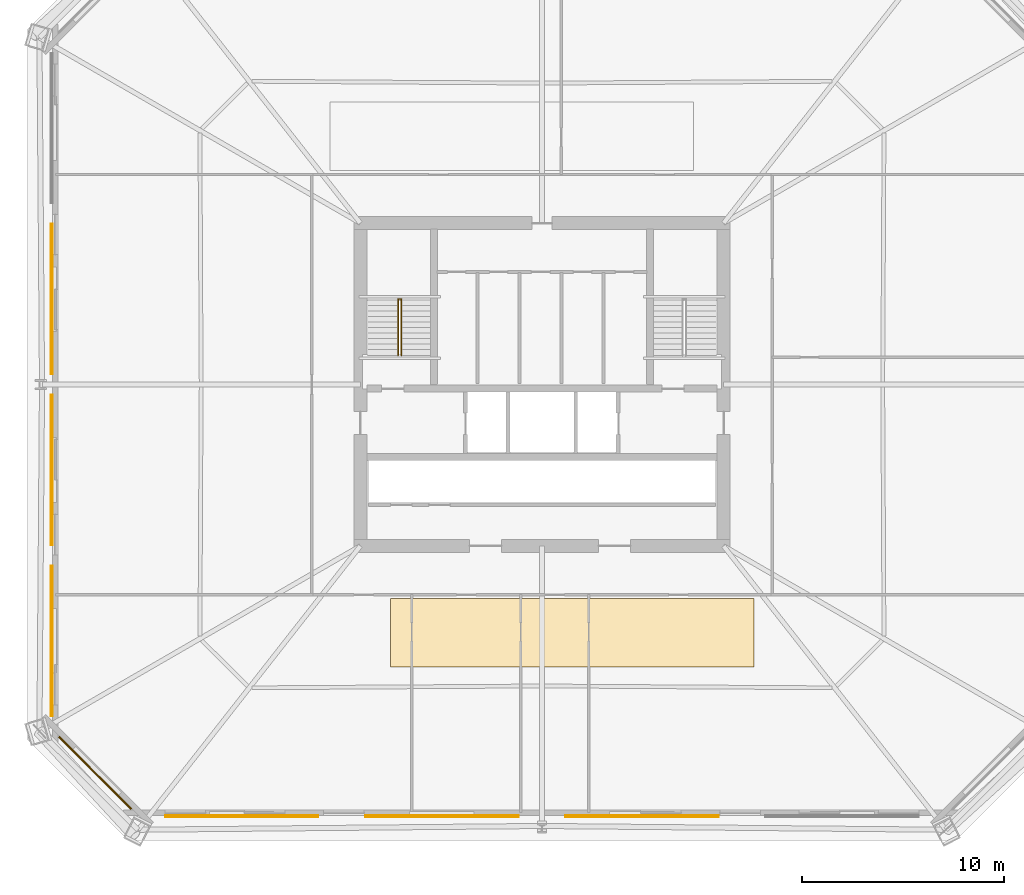
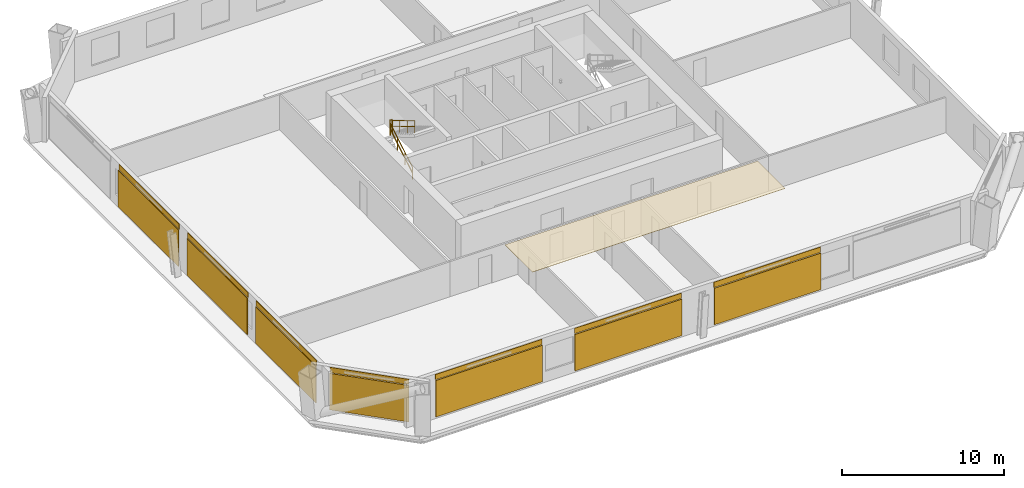
# One storey, part 8 of 10: 8 coverings, 7 shading devices, 3 railings.
"""IFC4 building model written with IfcOpenShell, lengths in metres."""

import ifcopenshell
import ifcopenshell.guid

model = None  # the IFC model being written
_history = None  # IfcOwnerHistory: only IFC2X3 demands one
_inside = {}  # id of a spatial element -> (the spatial element, [elements in it])
_under = {}  # id of a project, library or spatial element -> (it, [spatial elements below it])
_declared = {}  # id of a project -> (the project, [libraries it declares])
_typed = {}  # id of a type object -> (the type object, [elements of that type])
_made_of = {}  # id of a material, layer set ... -> (it, [elements and type objects made of it])


def new_model(schema):
    """Start an empty IFC model of exactly this schema.

    Asked for "IFC4X3", IfcOpenShell would pick the latest addendum, in which some entities
    have other attributes; the version numbers below select the first issue.
    IFC2X3 requires an IfcOwnerHistory on every rooted entity: one is made here for all.
    """
    global model, _history
    if schema == "IFC4X3":
        model = ifcopenshell.file(schema_version=(4, 3, 0, 0))
    else:
        model = ifcopenshell.file(schema=schema)
    _inside.clear()
    _under.clear()
    _declared.clear()
    _typed.clear()
    _made_of.clear()
    _history = None
    if model.schema == "IFC2X3":
        org = make("IfcOrganization", Name="unknown")
        user = make(
            "IfcPersonAndOrganization",
            ThePerson=make("IfcPerson", FamilyName="unknown"),
            TheOrganization=org,
        )
        app = make(
            "IfcApplication",
            ApplicationDeveloper=org,
            Version="unknown",
            ApplicationFullName="unknown",
            ApplicationIdentifier="unknown",
        )
        _history = make(
            "IfcOwnerHistory",
            OwningUser=user,
            OwningApplication=app,
            ChangeAction="ADDED",
            CreationDate=0,
        )
    return model


def make(cls, **values):
    """One entity of the class cls with the attributes given. An attribute that is None is left unset."""
    return model.create_entity(
        cls, **{name: value for name, value in values.items() if value is not None}
    )


def rooted(cls, **values):
    """An entity with a GlobalId (a new one), such as an element, a storey or a relation."""
    return make(cls, GlobalId=ifcopenshell.guid.new(), OwnerHistory=_history, **values)


def si_unit(unit_type, name, prefix=None):
    """IfcSIUnit, for example si_unit("LENGTHUNIT", "METRE", prefix="MILLI")."""
    return make("IfcSIUnit", UnitType=unit_type, Prefix=prefix, Name=name)


def assignment(units):
    """IfcUnitAssignment: the units of a project."""
    return None if units is None else make("IfcUnitAssignment", Units=units)


def point(xyz):
    """IfcCartesianPoint."""
    return None if xyz is None else make("IfcCartesianPoint", Coordinates=xyz)


def direction(xyz):
    """IfcDirection."""
    return None if xyz is None else make("IfcDirection", DirectionRatios=xyz)


def frame(location, z_axis=None, x_axis=None):
    """IfcAxis2Placement3D, a coordinate frame: its origin and axes. An axis left out is left unset."""
    return make(
        "IfcAxis2Placement3D",
        Location=point(location),
        Axis=direction(z_axis),
        RefDirection=direction(x_axis),
    )


def frame_2d(location, x_axis=None):
    """IfcAxis2Placement2D, a coordinate frame in the plane: its origin and x axis."""
    return make(
        "IfcAxis2Placement2D", Location=point(location), RefDirection=direction(x_axis)
    )


def origin():
    """The frame at (0, 0, 0) with its axes left unset."""
    return frame((0.0, 0.0, 0.0))


def origin_2d():
    """The frame at (0, 0) in the plane with its x axis left unset."""
    return frame_2d((0.0, 0.0))


def place(relative_to, where):
    """IfcLocalPlacement: puts the frame where relative to a parent placement (None: the world)."""
    return make(
        "IfcLocalPlacement", PlacementRelTo=relative_to, RelativePlacement=where
    )


def context(
    kind, dimensions, precision=None, world=None, true_north=None, identifier=None
):
    """IfcGeometricRepresentationContext, for example the 3D "Model" context."""
    return make(
        "IfcGeometricRepresentationContext",
        ContextIdentifier=identifier,
        ContextType=kind,
        CoordinateSpaceDimension=dimensions,
        Precision=precision,
        WorldCoordinateSystem=world,
        TrueNorth=true_north,
    )


def subcontext(parent, identifier, kind, view, scale=None):
    """IfcGeometricRepresentationSubContext, for example "Body" below "Model"."""
    return make(
        "IfcGeometricRepresentationSubContext",
        ContextIdentifier=identifier,
        ContextType=kind,
        ParentContext=parent,
        TargetScale=scale,
        TargetView=view,
    )


def project(units=None, contexts=None):
    """IfcProject with its units and contexts."""
    return rooted(
        "IfcProject",
        Name="project",
        RepresentationContexts=contexts,
        UnitsInContext=assignment(units),
    )


def spatial(cls, under=None, at=None, **own):
    """A site, building, storey or space (cls), placed at a placement, below another one or the project."""
    s = rooted(cls, ObjectPlacement=at, **own)
    if under is not None:
        _under.setdefault(under.id(), (under, []))[1].append(s)
    return s


def polyline(points):
    """IfcPolyline through the points."""
    return make("IfcPolyline", Points=[point(p) for p in points])


def profile(cls, at=None, kind="AREA", **sizes):
    """A parametric profile (cls). Its sizes go by their IFC names, for example OverallWidth=200.0."""
    return make(cls, ProfileType=kind, Position=at, **sizes)


def rectangle(**sizes):
    """IfcRectangleProfileDef."""
    return profile("IfcRectangleProfileDef", **sizes)


def circle(**sizes):
    """IfcCircleProfileDef."""
    return profile("IfcCircleProfileDef", **sizes)


def outline(outer, holes=None, kind="AREA"):
    """IfcArbitraryClosedProfileDef: a profile drawn as a closed curve; with holes, ...WithVoids."""
    if holes is None:
        return make("IfcArbitraryClosedProfileDef", ProfileType=kind, OuterCurve=outer)
    return make(
        "IfcArbitraryProfileDefWithVoids",
        ProfileType=kind,
        OuterCurve=outer,
        InnerCurves=holes,
    )


def extrude(swept, where, along, depth):
    """IfcExtrudedAreaSolid: the profile swept, set in the frame where, extruded along a direction by depth."""
    return make(
        "IfcExtrudedAreaSolid",
        SweptArea=swept,
        Position=where,
        ExtrudedDirection=direction(along),
        Depth=depth,
    )


def shape(context_of_items, identifier, shape_type, items):
    """IfcShapeRepresentation: the items that make up one representation, for example the "Body"."""
    return make(
        "IfcShapeRepresentation",
        ContextOfItems=context_of_items,
        RepresentationIdentifier=identifier,
        RepresentationType=shape_type,
        Items=items,
    )


def material(Name=None, Category=None):
    """IfcMaterial."""
    return make("IfcMaterial", Name=Name, Category=Category)


def layer(
    of_material, thickness, ventilated=None, Name=None, Category=None, Priority=None
):
    """IfcMaterialLayer: one layer of a wall or slab, of a material (None: an air gap)."""
    return make(
        "IfcMaterialLayer",
        Material=of_material,
        LayerThickness=thickness,
        IsVentilated=ventilated,
        Name=Name,
        Category=Category,
        Priority=Priority,
    )


def layer_set(layers, Name=None):
    """IfcMaterialLayerSet."""
    return make("IfcMaterialLayerSet", MaterialLayers=layers, LayerSetName=Name)


def made_of(thing, what):
    """Note that an element or type object is made of a material, layer set ...; save() writes the relation."""
    if what is not None:
        _made_of.setdefault(what.id(), (what, []))[1].append(thing)
    return thing


def type_object(cls, material=None, **own):
    """A type object (cls), such as IfcWallType, which elements share."""
    return made_of(rooted(cls, **own), material)


def element(
    cls,
    number,
    at=None,
    inside=None,
    cuts=None,
    type_object=None,
    material=None,
    context=None,
    identifier="Body",
    shape_type=None,
    held_by="IfcProductDefinitionShape",
    body=None,
    shapes=None,
    **own,
):
    """One element of the class cls, such as IfcWall. Its Tag is "e" and its number.

    at: its placement. inside: the storey or other place that contains it. cuts: it is an
    opening in that element (IfcRelVoidsElement). A single representation is given by context,
    identifier, shape_type and body (its items); several are given by shapes. held_by: the class
    of the entity that holds the representations. save() writes the other relations.
    """
    e = rooted(cls, Tag="e%d" % number, ObjectPlacement=at, **own)
    if body is not None:
        shapes = [shape(context, identifier, shape_type, body)]
    if shapes is not None:
        e.Representation = make(held_by, Representations=shapes)
    if inside is not None:
        _inside.setdefault(inside.id(), (inside, []))[1].append(e)
    if cuts is not None:
        rooted(
            "IfcRelVoidsElement", RelatingBuildingElement=cuts, RelatedOpeningElement=e
        )
    if type_object is not None:
        _typed.setdefault(type_object.id(), (type_object, []))[1].append(e)
    return made_of(e, material)


def aggregate(whole, parts):
    """IfcRelAggregates: a whole, such as a stair, and the parts it consists of."""
    return rooted("IfcRelAggregates", RelatingObject=whole, RelatedObjects=parts)


def save(model, path):
    """Write the relations noted so far, then the file.

    IfcRelAggregates (storeys below a building ...), IfcRelContainedInSpatialStructure (elements
    in a storey), IfcRelDefinesByType, IfcRelAssociatesMaterial and IfcRelDeclares: one each for
    every whole, place, type object, material and project.
    """
    for whole, parts in _under.values():
        aggregate(whole, parts)
    for where, things in _inside.values():
        rooted(
            "IfcRelContainedInSpatialStructure",
            RelatedElements=things,
            RelatingStructure=where,
        )
    for kind, things in _typed.values():
        rooted("IfcRelDefinesByType", RelatedObjects=things, RelatingType=kind)
    for what, things in _made_of.values():
        rooted("IfcRelAssociatesMaterial", RelatedObjects=things, RelatingMaterial=what)
    for by, libraries in _declared.values():
        rooted("IfcRelDeclares", RelatingContext=by, RelatedDefinitions=libraries)
    model.write(path)


model = new_model("IFC4")

# Units and contexts
model_context = context("Model", 3, precision=1e-05, world=origin(), true_north=direction((0.0, 1.0)))
body_context = subcontext(model_context, "Body", "Model", "MODEL_VIEW")
ifc_project = project(units=[si_unit("LENGTHUNIT", "METRE"), si_unit("AREAUNIT", "SQUARE_METRE"), si_unit("VOLUMEUNIT", "CUBIC_METRE"), si_unit("PLANEANGLEUNIT", "RADIAN"), si_unit("MASSUNIT", "GRAM", prefix="KILO")], contexts=[model_context])

# Site, building, storey
site_placement = place(None, origin())
site = spatial("IfcSite", under=ifc_project, at=site_placement, CompositionType="ELEMENT")
building_placement = place(site_placement, origin())
building = spatial("IfcBuilding", under=site, at=building_placement, Name="Caelvoria Tower", CompositionType="ELEMENT")
storey_placement = place(building_placement, frame((0.0, 0.0, 56.800048828125)))
storey = spatial("IfcBuildingStorey", under=building, at=storey_placement, Name="L14", CompositionType="ELEMENT", Elevation=56.800048828125)

# Coverings
ifc_material_1 = material(Name="Acoustic Mineral Fibre Tile", Category="gypsum")
ifc_layer_1 = layer(ifc_material_1, 0.02490234375, Name="Acoustic Mineral Fibre Tile")
ifc_layer_set_1 = layer_set([ifc_layer_1], Name="Mineral-Fibre Acoustic Suspended Ceiling 25 - Acoustic Mineral Fibre Tile")
covering_type_1 = type_object("IfcCoveringType", Name="Mineral-Fibre Acoustic Suspended Ceiling 25", PredefinedType="CEILING", material=ifc_layer_set_1)
covering_1_placement = place(storey_placement, frame((0.0, 0.0, 2.635009765625)))
element("IfcCovering", 1, at=covering_1_placement, inside=storey, type_object=covering_type_1, Name="Suspended Acoustic Ceiling L14", PredefinedType="CEILING", context=body_context, shape_type="SweptSolid", body=[
    extrude(outline(polyline([(38.5, 18.0), (56.5, 18.0), (56.5, 21.39990234375), (38.5, 21.39990234375), (38.5, 18.0)])), origin(), (0.0, 0.0, 1.0), 0.02490234375),
])
ifc_material_2 = material(Name="Perforated Architectural Bronze Cladding Screen", Category="bronze")
ifc_layer_2 = layer(ifc_material_2, 0.0400390625, Name="Perforated Architectural Bronze Cladding Screen")
ifc_layer_set_2 = layer_set([ifc_layer_2], Name="Perforated Bronze Louvre Cladding Band 40 - Perforated Architectural Bronze Cladding Screen")
covering_type_2 = type_object("IfcCoveringType", Name="Perforated Bronze Louvre Cladding Band 40", PredefinedType="CLADDING", material=ifc_layer_set_2)
for number, where, z_axis, x_axis, name in (
    (2, (31.1201171875, 10.6279296875, 2.93994140625), (0.0, 0.0, 1.0), (1.0, 0.0, 0.0), "Perforated Bronze Screen Band L14-E0-00"),
    (3, (41.0400390625, 10.6279296875, 2.93994140625), (0.0, 0.0, 1.0), (1.0, 0.0, 0.0), "Perforated Bronze Screen Band L14-E0-01"),
    (4, (50.9599609375, 10.6279296875, 2.93994140625), (0.0, 0.0, 1.0), (1.0, 0.0, 0.0), "Perforated Bronze Screen Band L14-E0-02"),
):
    element("IfcCovering", number, at=place(storey_placement, frame(where, z_axis=z_axis, x_axis=x_axis)), inside=storey, type_object=covering_type_2, Name=name, PredefinedType="CLADDING", context=body_context, shape_type="SweptSolid", body=[
        extrude(rectangle(XDim=7.60009765625, YDim=0.0400390625, at=origin_2d()), origin(), (0.0, 0.0, 1.0), 0.39990234375),
    ])
for number, where, z_axis, x_axis, name in (
    (5, (21.72802734375, 36.235107421875, 2.93994140625), (0.0, 0.0, 1.0), (0.0, -1.0, 0.0), "Perforated Bronze Screen Band L14-E6-01"),
    (6, (21.72802734375, 27.764892578125, 2.93994140625), (0.0, 0.0, 1.0), (0.0, -1.0, 0.0), "Perforated Bronze Screen Band L14-E6-02"),
    (7, (21.72802734375, 19.294921875, 2.93994140625), (0.0, 0.0, 1.0), (0.0, -1.0, 0.0), "Perforated Bronze Screen Band L14-E6-03"),
):
    element("IfcCovering", number, at=place(storey_placement, frame(where, z_axis=z_axis, x_axis=x_axis)), inside=storey, type_object=covering_type_2, Name=name, PredefinedType="CLADDING", context=body_context, shape_type="SweptSolid", body=[
        extrude(rectangle(XDim=7.45361328125, YDim=0.0400390625, at=origin_2d()), origin(), (0.0, 0.0, 1.0), 0.39990234375),
    ])
covering_2_placement = place(storey_placement, frame((23.868408203125, 12.768310546875, 2.93994140625), z_axis=(0.0, 0.0, 1.0), x_axis=(0.707106781187, -0.707106781187, 0.0)))
element("IfcCovering", 8, at=covering_2_placement, inside=storey, type_object=covering_type_2, Name="Perforated Bronze Screen Band L14-E7-00", PredefinedType="CLADDING", context=body_context, shape_type="SweptSolid", body=[
    extrude(rectangle(XDim=5.060791015625, YDim=0.0400390625, at=origin_2d()), origin(), (0.0, 0.0, 1.0), 0.39990234375),
])

# Shading devices
ifc_material_3 = material(Name="Perforated Architectural Bronze Alloy Panel", Category="bronze")
ifc_layer_3 = layer(ifc_material_3, 0.044921875, Name="Perforated Architectural Bronze Alloy Panel")
ifc_layer_set_3 = layer_set([ifc_layer_3], Name="Perforated Bronze Solar Screen Panel SCREEN - Perforated Architectural Bronze Alloy Panel")
shading_device_type = type_object("IfcShadingDeviceType", Name="Perforated Bronze Solar Screen Panel SCREEN", PredefinedType="USERDEFINED", material=ifc_layer_set_3)
for number, where, z_axis, x_axis, name in (
    (9, (31.1201171875, 10.5849609375, 0.159912109375), (0.0, 0.0, 1.0), (1.0, 0.0, 0.0), "Perforated Bronze Solar Screen L14-E0-00"),
    (10, (41.0400390625, 10.5849609375, 0.159912109375), (0.0, 0.0, 1.0), (1.0, 0.0, 0.0), "Perforated Bronze Solar Screen L14-E0-01"),
    (11, (50.9599609375, 10.5849609375, 0.159912109375), (0.0, 0.0, 1.0), (1.0, 0.0, 0.0), "Perforated Bronze Solar Screen L14-E0-02"),
):
    element("IfcShadingDevice", number, at=place(storey_placement, frame(where, z_axis=z_axis, x_axis=x_axis)), inside=storey, type_object=shading_device_type, Name=name, ObjectType="SCREEN", PredefinedType="USERDEFINED", context=body_context, shape_type="SweptSolid", body=[
        extrude(rectangle(XDim=7.60009765625, YDim=0.044921875, at=origin_2d()), origin(), (0.0, 0.0, 1.0), 2.75),
    ])
for number, where, z_axis, x_axis, name in (
    (12, (21.68505859375, 36.235107421875, 0.159912109375), (0.0, 0.0, 1.0), (0.0, -1.0, 0.0), "Perforated Bronze Solar Screen L14-E6-01"),
    (13, (21.68505859375, 27.764892578125, 0.159912109375), (0.0, 0.0, 1.0), (0.0, -1.0, 0.0), "Perforated Bronze Solar Screen L14-E6-02"),
    (14, (21.68505859375, 19.294921875, 0.159912109375), (0.0, 0.0, 1.0), (0.0, -1.0, 0.0), "Perforated Bronze Solar Screen L14-E6-03"),
):
    element("IfcShadingDevice", number, at=place(storey_placement, frame(where, z_axis=z_axis, x_axis=x_axis)), inside=storey, type_object=shading_device_type, Name=name, ObjectType="SCREEN", PredefinedType="USERDEFINED", context=body_context, shape_type="SweptSolid", body=[
        extrude(rectangle(XDim=7.45361328125, YDim=0.044921875, at=origin_2d()), origin(), (0.0, 0.0, 1.0), 2.75),
    ])
shading_device_placement = place(storey_placement, frame((23.837890625, 12.73779296875, 0.159912109375), z_axis=(0.0, 0.0, 1.0), x_axis=(0.707106781187, -0.707106781187, 0.0)))
element("IfcShadingDevice", 15, at=shading_device_placement, inside=storey, type_object=shading_device_type, Name="Perforated Bronze Solar Screen L14-E7-00", ObjectType="SCREEN", PredefinedType="USERDEFINED", context=body_context, shape_type="SweptSolid", body=[
    extrude(rectangle(XDim=5.060791015625, YDim=0.044921875, at=origin_2d()), origin(), (0.0, 0.0, 1.0), 2.75),
])

# Railings
ifc_material_4 = material(Name="Brushed Stainless Steel Tube", Category="steel")
railing_type_1 = type_object("IfcRailingType", Name="Stair Tubular Stainless Handrail 920", PredefinedType="HANDRAIL", material=ifc_material_4)
railing_1_placement = place(storey_placement, frame((38.8701171875, 33.449951171875, 0.16357421875)))
element("IfcRailing", 16, at=railing_1_placement, inside=storey, type_object=railing_type_1, Name="ST-01 Flight 1 Handrail L14", PredefinedType="HANDRAIL", context=body_context, shape_type="SweptSolid", body=[
    extrude(circle(Radius=0.02392578125, at=origin_2d()), frame((0.0, 0.0, 0.89599609375), z_axis=(0.0, 0.859351957796, 0.511384603436), x_axis=(-1.0, 0.0, 0.0)), (0.0, 0.0, 1.0), 3.2001953125),
    extrude(circle(Radius=0.02392578125, at=origin_2d()), frame((0.0, 0.0, 0.4599609375), z_axis=(0.0, 0.859351957796, 0.511384603436), x_axis=(-1.0, 0.0, 0.0)), (0.0, 0.0, 1.0), 3.2001953125),
    extrude(circle(Radius=0.02099609375, at=origin_2d()), origin(), (0.0, 0.0, 1.0), 0.871826171875),
    extrude(circle(Radius=0.02099609375, at=origin_2d()), frame((0.0, 0.916748046875, 0.54541015625)), (0.0, 0.0, 1.0), 0.871826171875),
    extrude(circle(Radius=0.02099609375, at=origin_2d()), frame((0.0, 1.833251953125, 1.091064453125)), (0.0, 0.0, 1.0), 0.871826171875),
    extrude(circle(Radius=0.02099609375, at=origin_2d()), frame((0.0, 2.75, 1.636474609375)), (0.0, 0.0, 1.0), 0.871826171875),
])
railing_2_placement = place(storey_placement, frame((39.030029296875, 36.199951171875, 1.963623046875)))
element("IfcRailing", 17, at=railing_2_placement, inside=storey, type_object=railing_type_1, Name="ST-01 Flight 2 Handrail L14", PredefinedType="HANDRAIL", context=body_context, shape_type="SweptSolid", body=[
    extrude(circle(Radius=0.02392578125, at=origin_2d()), frame((0.0, 0.0, 0.89599609375), z_axis=(0.0, -0.859385484447, 0.511328259656), x_axis=(1.0, 0.0, 0.0)), (0.0, 0.0, 1.0), 3.199951171875),
    extrude(circle(Radius=0.02392578125, at=origin_2d()), frame((0.0, 0.0, 0.4599609375), z_axis=(0.0, -0.859385484447, 0.511328259656), x_axis=(1.0, 0.0, 0.0)), (0.0, 0.0, 1.0), 3.199951171875),
    extrude(circle(Radius=0.02099609375, at=origin_2d()), origin(), (0.0, 0.0, 1.0), 0.871826171875),
    extrude(circle(Radius=0.02099609375, at=origin_2d()), frame((0.0, -0.916748046875, 0.54541015625)), (0.0, 0.0, 1.0), 0.871826171875),
    extrude(circle(Radius=0.02099609375, at=origin_2d()), frame((0.0, -1.833251953125, 1.0908203125)), (0.0, 0.0, 1.0), 0.871826171875),
    extrude(circle(Radius=0.02099609375, at=origin_2d()), frame((0.0, -2.75, 1.63623046875)), (0.0, 0.0, 1.0), 0.871826171875),
])
ifc_material_5 = material(Name="Brushed Stainless Steel Guardrail", Category="steel")
railing_type_2 = type_object("IfcRailingType", Name="Stair Well and Ramp Guardrail 1120", PredefinedType="GUARDRAIL", material=ifc_material_5)
railing_3_placement = place(storey_placement, frame((38.8701171875, 36.239990234375, 1.800048828125)))
element("IfcRailing", 18, at=railing_3_placement, inside=storey, type_object=railing_type_2, Name="ST-01 Half-Landing Well Guard L14", PredefinedType="GUARDRAIL", context=body_context, shape_type="SweptSolid", body=[
    extrude(circle(Radius=0.02392578125, at=origin_2d()), frame((0.0, 0.0, 1.09619140625), z_axis=(1.0, 0.0, 0.0), x_axis=(0.0, 1.0, 0.0)), (0.0, 0.0, 1.0), 0.159912109375),
    extrude(circle(Radius=0.02392578125, at=origin_2d()), frame((0.0, 0.0, 0.56005859375), z_axis=(1.0, 0.0, 0.0), x_axis=(0.0, 1.0, 0.0)), (0.0, 0.0, 1.0), 0.159912109375),
    extrude(circle(Radius=0.02099609375, at=origin_2d()), origin(), (0.0, 0.0, 1.0), 1.072021484375),
    extrude(circle(Radius=0.02099609375, at=origin_2d()), frame((0.159912109375, 0.0, 0.0)), (0.0, 0.0, 1.0), 1.072021484375),
])

save(model, "model.ifc")
